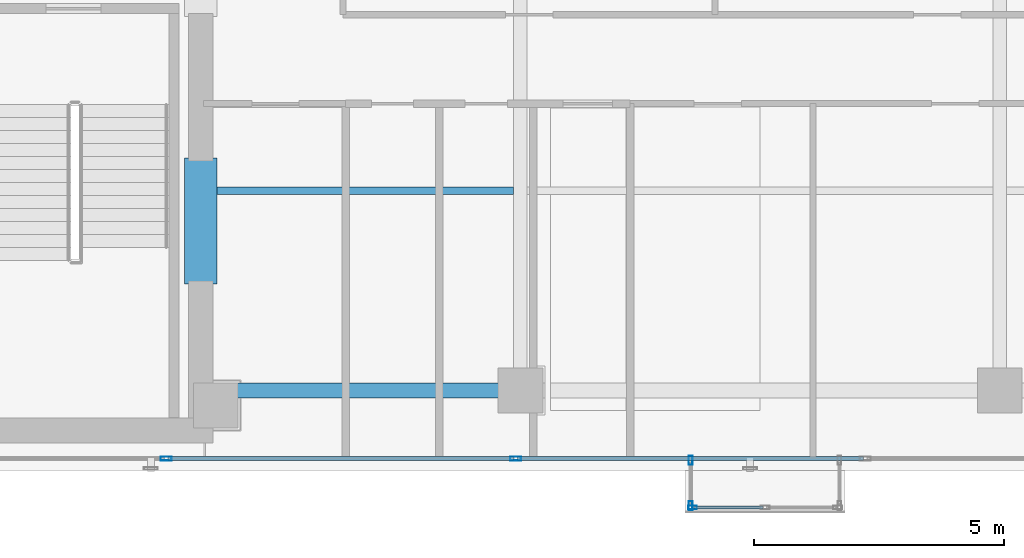
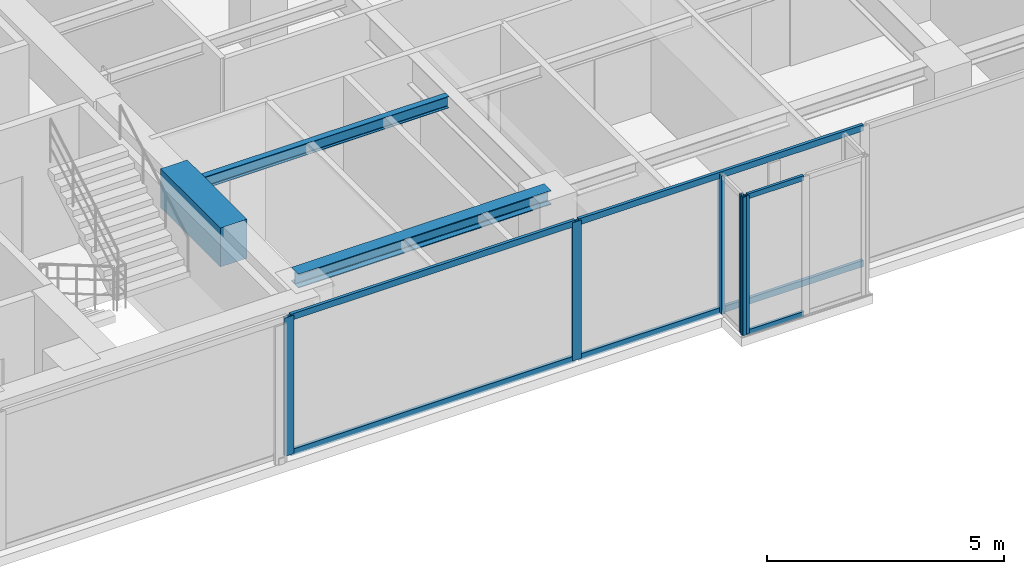
# One storey, part 4 of 22: 11 members, 3 beams, 3 elements without a shape of their own.
"""IFC4 building model written with IfcOpenShell, lengths in metres."""

from ifc_helpers import new_model, si_unit, direction, frame, origin, origin_with_axes, origin_2d, place, context, subcontext, project, spatial, rectangle, hollow_rectangle, i_section, extrude, source, transform, mapped, material, layer, layer_set, material_profile, profile_set, type_object, element, aggregate, save


model = new_model("IFC4")

# Units and contexts
model_context = context("Model", 3, precision=1e-05, world=origin(), true_north=direction((0.0, 1.0)))
body_context = subcontext(model_context, "Body", "Model", "MODEL_VIEW")
ifc_project = project(units=[si_unit("LENGTHUNIT", "METRE"), si_unit("AREAUNIT", "SQUARE_METRE"), si_unit("VOLUMEUNIT", "CUBIC_METRE"), si_unit("PLANEANGLEUNIT", "RADIAN"), si_unit("MASSUNIT", "GRAM", prefix="KILO")], contexts=[model_context])

# Site, building, storey
site_placement = place(None, origin())
site = spatial("IfcSite", under=ifc_project, at=site_placement, CompositionType="ELEMENT")
building_placement = place(site_placement, origin())
building = spatial("IfcBuilding", under=site, at=building_placement, Name="Kolvaren Waterfront Exchange", CompositionType="ELEMENT")
storey_placement = place(building_placement, frame((0.0, 0.0, 281.800048828125)))
storey = spatial("IfcBuildingStorey", under=building, at=storey_placement, Name="L72", CompositionType="ELEMENT", Elevation=281.800048828125)

# Beams
ifc_material_1 = material(Name="Steel S355", Category="steel")
ifc_material_profile_1 = material_profile(ifc_material_1, i_section(OverallWidth=0.300048828125, OverallDepth=0.360107421875, WebThickness=0.012451171875, FlangeThickness=0.0224609375, FilletRadius=0.027099609375, at=origin_2d()), Name="HEB360")
ifc_profile_set_1 = profile_set([ifc_material_profile_1], Name="Steel S355")
beam_type_1 = type_object("IfcBeamType", Name="STR-BM-HEB360", PredefinedType="SPANDREL", material=ifc_profile_set_1)
beam_1_placement = place(storey_placement, frame((21.050048828125, 5.199951171875, 3.3798828125), z_axis=(1.0, 0.0, 0.0), x_axis=(0.0, 1.0, 0.0)))
element("IfcBeam", 1, at=beam_1_placement, inside=storey, type_object=beam_type_1, Name="L72 east-arm spandrel S1", PredefinedType="SPANDREL", context=body_context, shape_type="SweptSolid", body=[
    extrude(i_section(OverallWidth=0.300048828125, OverallDepth=0.360107421875, WebThickness=0.012451171875, FlangeThickness=0.0224609375, FilletRadius=0.027099609375, at=origin_2d()), origin(), (0.0, 0.0, 1.0), 6.14990234375),
])
ifc_material_profile_2 = material_profile(ifc_material_1, i_section(OverallWidth=0.14990234375, OverallDepth=0.300048828125, WebThickness=0.007080078125, FlangeThickness=0.0107421875, FilletRadius=0.014892578125, at=origin_2d()), Name="IPE300")
ifc_profile_set_2 = profile_set([ifc_material_profile_2], Name="Steel S355")
beam_type_2 = type_object("IfcBeamType", Name="STR-BM-IPE300", PredefinedType="JOIST", material=ifc_profile_set_2)
beam_2_placement = place(storey_placement, frame((21.10009765625, 9.199951171875, 3.409912109375), z_axis=(1.0, 0.0, 0.0), x_axis=(0.0, 1.0, 0.0)))
element("IfcBeam", 2, at=beam_2_placement, inside=storey, type_object=beam_type_2, Name="L72 east-arm composite joist 1B", PredefinedType="JOIST", context=body_context, shape_type="SweptSolid", body=[
    extrude(i_section(OverallWidth=0.14990234375, OverallDepth=0.300048828125, WebThickness=0.007080078125, FlangeThickness=0.0107421875, FilletRadius=0.014892578125, at=origin_2d()), origin(), (0.0, 0.0, 1.0), 5.96435546875),
])
ifc_material_2 = material(Name="Concrete C60/75", Category="concrete")
ifc_material_profile_3 = material_profile(ifc_material_2, rectangle(XDim=0.64990234375, YDim=1.0, at=origin_2d()), Name="RC-CB-1000x650")
ifc_profile_set_3 = profile_set([ifc_material_profile_3], Name="Concrete C60/75")
beam_type_3 = type_object("IfcBeamType", Name="STR-CB-1000", PredefinedType="SPANDREL", material=ifc_profile_set_3)
beam_3_placement = place(storey_placement, frame((20.800048828125, 7.340087890625, 3.06005859375), z_axis=(0.0, 1.0, 0.0), x_axis=(-1.0, 0.0, 0.0)))
element("IfcBeam", 3, at=beam_3_placement, inside=storey, type_object=beam_type_3, Name="L72 core coupling beam 1", PredefinedType="SPANDREL", context=body_context, shape_type="SweptSolid", body=[
    extrude(rectangle(XDim=0.64990234375, YDim=1.0, at=origin_2d()), origin(), (0.0, 0.0, 1.0), 2.52001953125),
])

# Curtain wall, members
ifc_material_3 = material(Name="Anodised bronze aluminium 6063-T6", Category="aluminium")
ifc_layer_1 = layer(ifc_material_3, 0.219970703125, Name="Anodised bronze aluminium 6063-T6")
ifc_layer_set_1 = layer_set([ifc_layer_1], Name="Anodised bronze aluminium 6063-T6")
curtain_wall_type_1 = type_object("IfcCurtainWallType", Name="ARC-CW-SYS3", PredefinedType="USERDEFINED", material=ifc_layer_set_1)
curtain_wall_1_placement = place(storey_placement, origin())
curtain_wall_1 = element("IfcCurtainWall", 4, at=curtain_wall_1_placement, inside=storey, type_object=curtain_wall_type_1, Name="L72 stick curtain wall CW3 (CW-L72-BOX)", ObjectType="STICK CURTAIN WALL", PredefinedType="USERDEFINED")
ifc_material_profile_4 = material_profile(ifc_material_3, hollow_rectangle(XDim=0.06494140625, YDim=0.1298828125, WallThickness=0.00390625, at=origin_2d()), Name="ALU-TRN-130x65x4")
ifc_profile_set_4 = profile_set([ifc_material_profile_4], Name="Anodised bronze aluminium 6063-T6")
member_type_1 = type_object("IfcMemberType", Name="ARC-CWT-130", PredefinedType="USERDEFINED", material=ifc_profile_set_4)
shared_shape_1 = source(origin_with_axes(), body_context, "Body", "SweptSolid", [
    extrude(hollow_rectangle(XDim=0.06494140625, YDim=0.1298828125, WallThickness=0.00390625, at=origin_2d()), origin(), (0.0, 0.0, 1.0), 1.37744140625),
])
member_1_placement = place(storey_placement, frame((30.68505859375, 2.860107421875, 0.032470703125), z_axis=(1.0, 0.0, 0.0), x_axis=(0.0, 1.0, 0.0)))
member_1 = element("IfcMember", 5, at=member_1_placement, type_object=member_type_1, Name="CW3 transom 1.1", ObjectType="TRANSOM", PredefinedType="USERDEFINED", context=body_context, shape_type="MappedRepresentation", body=[
    mapped(shared_shape_1, transform((0.0, 0.0, 0.0), x_axis=(1.0, 0.0, 0.0), y_axis=(0.0, 1.0, 0.0), z_axis=(0.0, 0.0, 1.0), scale=1.0)),
])
member_2_placement = place(storey_placement, frame((30.68505859375, 2.860107421875, 3.52734375), z_axis=(1.0, 0.0, 0.0), x_axis=(0.0, 1.0, 0.0)))
member_2 = element("IfcMember", 6, at=member_2_placement, type_object=member_type_1, Name="CW3 transom 1.2", ObjectType="TRANSOM", PredefinedType="USERDEFINED", context=body_context, shape_type="MappedRepresentation", body=[
    mapped(shared_shape_1, transform((0.0, 0.0, 0.0), x_axis=(1.0, 0.0, 0.0), y_axis=(0.0, 1.0, 0.0), z_axis=(0.0, 0.0, 1.0), scale=1.0)),
])

curtain_wall_2_placement = place(storey_placement, origin())
curtain_wall_2 = element("IfcCurtainWall", 7, at=curtain_wall_2_placement, inside=storey, type_object=curtain_wall_type_1, Name="L72 stick curtain wall CW3 (CW-L72-BOX-W)", ObjectType="STICK CURTAIN WALL", PredefinedType="USERDEFINED")
ifc_material_profile_5 = material_profile(ifc_material_3, hollow_rectangle(XDim=0.074951171875, YDim=0.179931640625, WallThickness=0.00439453125, at=origin_2d()), Name="ALU-MUL-180x75x4.5")
ifc_profile_set_5 = profile_set([ifc_material_profile_5], Name="Anodised bronze aluminium 6063-T6")
member_type_2 = type_object("IfcMemberType", Name="ARC-CWM-180", PredefinedType="MULLION", material=ifc_profile_set_5)
shared_shape_2 = source(origin_with_axes(), body_context, "Body", "SweptSolid", [
    extrude(hollow_rectangle(XDim=0.074951171875, YDim=0.179931640625, WallThickness=0.00439453125, at=origin_2d()), origin(), (0.0, 0.0, 1.0), 3.56005859375),
])
member_3_placement = place(storey_placement, frame((30.610107421875, 3.802490234375, 0.0), z_axis=(0.0, 0.0, 1.0), x_axis=(1.0, 0.0, 0.0)))
member_3 = element("IfcMember", 8, at=member_3_placement, type_object=member_type_2, Name="CW3 mullion 1", PredefinedType="MULLION", context=body_context, shape_type="MappedRepresentation", body=[
    mapped(shared_shape_2, transform((0.0, 0.0, 0.0), x_axis=(1.0, 0.0, 0.0), y_axis=(0.0, 1.0, 0.0), z_axis=(0.0, 0.0, 1.0), scale=1.0)),
])
member_4_placement = place(storey_placement, frame((30.610107421875, 2.8974609375, 0.0), z_axis=(0.0, 0.0, 1.0), x_axis=(1.0, 0.0, 0.0)))
member_4 = element("IfcMember", 9, at=member_4_placement, type_object=member_type_2, Name="CW3 mullion 2", PredefinedType="MULLION", context=body_context, shape_type="MappedRepresentation", body=[
    mapped(shared_shape_2, transform((0.0, 0.0, 0.0), x_axis=(1.0, 0.0, 0.0), y_axis=(0.0, 1.0, 0.0), z_axis=(0.0, 0.0, 1.0), scale=1.0)),
])
aggregate(curtain_wall_2, [member_3, member_4])

# Member
member_5_placement = place(storey_placement, frame((30.6474609375, 2.860107421875, 0.0), z_axis=(0.0, 0.0, 1.0), x_axis=(0.0, 1.0, 0.0)))
member_5 = element("IfcMember", 10, at=member_5_placement, type_object=member_type_2, Name="CW3 mullion 1", PredefinedType="MULLION", context=body_context, shape_type="MappedRepresentation", body=[
    mapped(shared_shape_2, transform((0.0, 0.0, 0.0), x_axis=(1.0, 0.0, 0.0), y_axis=(0.0, 1.0, 0.0), z_axis=(0.0, 0.0, 1.0), scale=1.0)),
])

aggregate(curtain_wall_1, [member_5, member_1, member_2])

# Curtain wall, members
ifc_layer_2 = layer(ifc_material_3, 0.219970703125, Name="Anodised bronze aluminium 6063-T6")
ifc_layer_set_2 = layer_set([ifc_layer_2], Name="Anodised bronze aluminium 6063-T6")
curtain_wall_type_2 = type_object("IfcCurtainWallType", Name="ARC-CW-SYS1", PredefinedType="USERDEFINED", material=ifc_layer_set_2)
curtain_wall_3_placement = place(storey_placement, origin())
curtain_wall_3 = element("IfcCurtainWall", 11, at=curtain_wall_3_placement, inside=storey, type_object=curtain_wall_type_2, Name="L72 stick curtain wall CW1 (CW-L72-S)", ObjectType="STICK CURTAIN WALL", PredefinedType="USERDEFINED")
ifc_material_4 = material(Name="Anodised aluminium 6063-T6", Category="aluminium")
ifc_material_profile_6 = material_profile(ifc_material_4, hollow_rectangle(XDim=0.080078125, YDim=0.219970703125, WallThickness=0.0048828125, at=origin_2d()), Name="ALU-MUL-220x80x5")
ifc_profile_set_6 = profile_set([ifc_material_profile_6], Name="Anodised aluminium 6063-T6")
member_type_3 = type_object("IfcMemberType", Name="ARC-CWM-220", PredefinedType="MULLION", material=ifc_profile_set_6)
shared_shape_3 = source(origin_with_axes(), body_context, "Body", "SweptSolid", [
    extrude(hollow_rectangle(XDim=0.080078125, YDim=0.219970703125, WallThickness=0.0048828125, at=origin_2d()), origin(), (0.0, 0.0, 1.0), 3.56005859375),
])
member_6_placement = place(storey_placement, frame((20.105224609375, 3.840087890625, 0.0), z_axis=(0.0, 0.0, 1.0), x_axis=(0.0, 1.0, 0.0)))
member_6 = element("IfcMember", 12, at=member_6_placement, type_object=member_type_3, Name="CW1 mullion 3", PredefinedType="MULLION", context=body_context, shape_type="MappedRepresentation", body=[
    mapped(shared_shape_3, transform((0.0, 0.0, 0.0), x_axis=(1.0, 0.0, 0.0), y_axis=(0.0, 1.0, 0.0), z_axis=(0.0, 0.0, 1.0), scale=1.0)),
])
member_7_placement = place(storey_placement, frame((27.10791015625, 3.840087890625, 0.0), z_axis=(0.0, 0.0, 1.0), x_axis=(0.0, 1.0, 0.0)))
member_7 = element("IfcMember", 13, at=member_7_placement, type_object=member_type_3, Name="CW1 mullion 4", PredefinedType="MULLION", context=body_context, shape_type="MappedRepresentation", body=[
    mapped(shared_shape_3, transform((0.0, 0.0, 0.0), x_axis=(1.0, 0.0, 0.0), y_axis=(0.0, 1.0, 0.0), z_axis=(0.0, 0.0, 1.0), scale=1.0)),
])
ifc_material_profile_7 = material_profile(ifc_material_4, hollow_rectangle(XDim=0.074951171875, YDim=0.159912109375, WallThickness=0.00439453125, at=origin_2d()), Name="ALU-TRN-160x75x4.5")
ifc_profile_set_7 = profile_set([ifc_material_profile_7], Name="Anodised aluminium 6063-T6")
member_type_4 = type_object("IfcMemberType", Name="ARC-CWT-160", PredefinedType="USERDEFINED", material=ifc_profile_set_7)
shared_shape_4 = source(origin_with_axes(), body_context, "Body", "SweptSolid", [
    extrude(hollow_rectangle(XDim=0.074951171875, YDim=0.159912109375, WallThickness=0.00439453125, at=origin_2d()), origin(), (0.0, 0.0, 1.0), 6.922607421875),
])
member_8_placement = place(storey_placement, frame((20.145263671875, 3.840087890625, 0.037353515625), z_axis=(1.0, 0.0, 0.0), x_axis=(0.0, 1.0, 0.0)))
member_8 = element("IfcMember", 14, at=member_8_placement, type_object=member_type_4, Name="CW1 transom 3.1", ObjectType="TRANSOM", PredefinedType="USERDEFINED", context=body_context, shape_type="MappedRepresentation", body=[
    mapped(shared_shape_4, transform((0.0, 0.0, 0.0), x_axis=(1.0, 0.0, 0.0), y_axis=(0.0, 1.0, 0.0), z_axis=(0.0, 0.0, 1.0), scale=1.0)),
])
member_9_placement = place(storey_placement, frame((20.145263671875, 3.840087890625, 3.5224609375), z_axis=(1.0, 0.0, 0.0), x_axis=(0.0, 1.0, 0.0)))
member_9 = element("IfcMember", 15, at=member_9_placement, type_object=member_type_4, Name="CW1 transom 3.2", ObjectType="TRANSOM", PredefinedType="USERDEFINED", context=body_context, shape_type="MappedRepresentation", body=[
    mapped(shared_shape_4, transform((0.0, 0.0, 0.0), x_axis=(1.0, 0.0, 0.0), y_axis=(0.0, 1.0, 0.0), z_axis=(0.0, 0.0, 1.0), scale=1.0)),
])
member_10_placement = place(storey_placement, frame((27.14794921875, 3.840087890625, 0.037353515625), z_axis=(1.0, 0.0, 0.0), x_axis=(0.0, 1.0, 0.0)))
member_10 = element("IfcMember", 16, at=member_10_placement, type_object=member_type_4, Name="CW1 transom 4.1", ObjectType="TRANSOM", PredefinedType="USERDEFINED", context=body_context, shape_type="MappedRepresentation", body=[
    mapped(shared_shape_4, transform((0.0, 0.0, 0.0), x_axis=(1.0, 0.0, 0.0), y_axis=(0.0, 1.0, 0.0), z_axis=(0.0, 0.0, 1.0), scale=1.0)),
])
member_11_placement = place(storey_placement, frame((27.14794921875, 3.840087890625, 3.5224609375), z_axis=(1.0, 0.0, 0.0), x_axis=(0.0, 1.0, 0.0)))
member_11 = element("IfcMember", 17, at=member_11_placement, type_object=member_type_4, Name="CW1 transom 4.2", ObjectType="TRANSOM", PredefinedType="USERDEFINED", context=body_context, shape_type="MappedRepresentation", body=[
    mapped(shared_shape_4, transform((0.0, 0.0, 0.0), x_axis=(1.0, 0.0, 0.0), y_axis=(0.0, 1.0, 0.0), z_axis=(0.0, 0.0, 1.0), scale=1.0)),
])
aggregate(curtain_wall_3, [member_6, member_7, member_8, member_9, member_10, member_11])

save(model, "model.ifc")
